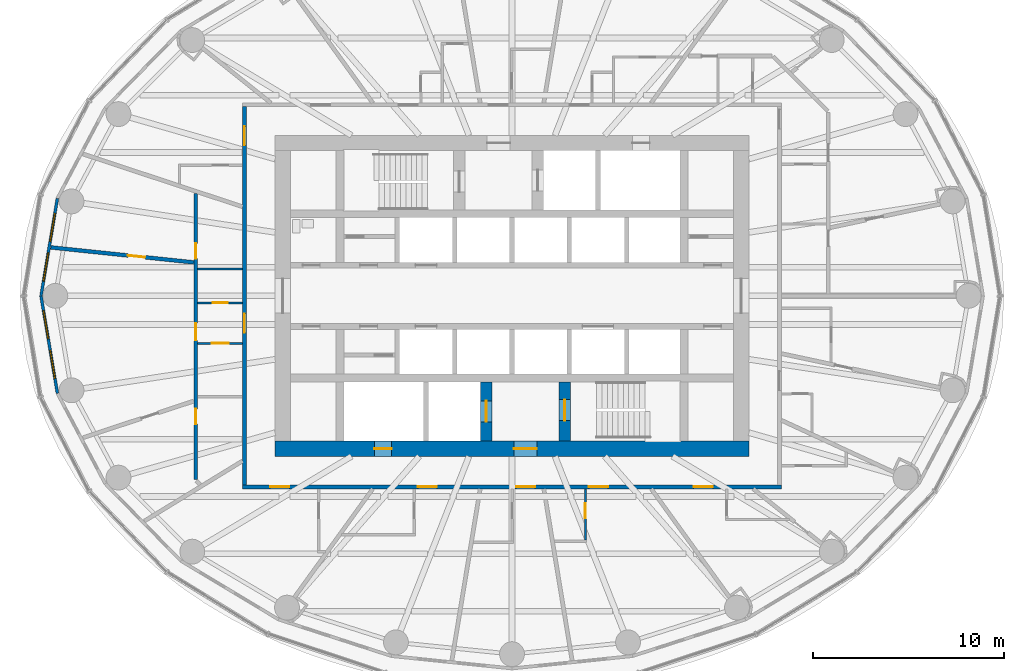
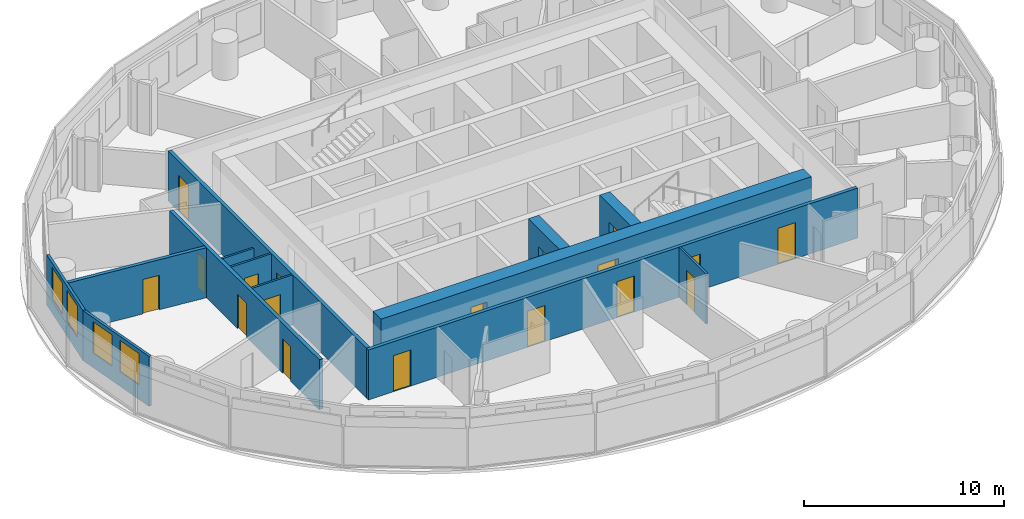
# One storey, part 7 of 14: 18 doors, 13 walls, 4 windows, 22 openings.
"""IFC4 building model written with IfcOpenShell, lengths in metres."""

from ifc_helpers import new_model, si_unit, direction, frame, frame_2d, origin, place, context, subcontext, project, spatial, rectangle, extrude, material, layer, layer_set, type_object, element, fill, save


model = new_model("IFC4")

# Units and contexts
model_context = context("Model", 3, precision=1e-05, world=origin(), true_north=direction((0.0, 1.0)))
body_context = subcontext(model_context, "Body", "Model", "MODEL_VIEW")
ifc_project = project(units=[si_unit("LENGTHUNIT", "METRE"), si_unit("AREAUNIT", "SQUARE_METRE"), si_unit("VOLUMEUNIT", "CUBIC_METRE"), si_unit("PLANEANGLEUNIT", "RADIAN"), si_unit("MASSUNIT", "GRAM", prefix="KILO")], contexts=[model_context])

# Site, building, storey
site_placement = place(None, origin())
site = spatial("IfcSite", under=ifc_project, at=site_placement, CompositionType="ELEMENT")
building_placement = place(site_placement, origin())
building = spatial("IfcBuilding", under=site, at=building_placement, Name="Hankou Lantern Tower", CompositionType="ELEMENT")
storey_placement = place(building_placement, frame((0.0, 0.0, 135.300048828125)))
storey = spatial("IfcBuildingStorey", under=building, at=storey_placement, Name="L35", CompositionType="ELEMENT", Elevation=135.300048828125)

# Wall, openings, doors
ifc_material_1 = material(Name="Concrete C60", Category="concrete")
ifc_layer_1 = layer(ifc_material_1, 0.800048828125)
ifc_layer_set_1 = layer_set([ifc_layer_1], Name="Concrete C60")
wall_type_1 = type_object("IfcWallType", Name="CW2 CORE WALL 800", PredefinedType="SHEAR", material=ifc_layer_set_1)
wall_1_placement = place(storey_placement, frame((12.39990234375, -8.0, 0.0), z_axis=(0.0, 0.0, 1.0), x_axis=(-1.0, 0.0, 0.0)))
wall_1 = element("IfcWall", 1, at=wall_1_placement, inside=storey, type_object=wall_type_1, Name="Core wall south L35", PredefinedType="SHEAR", context=body_context, shape_type="SweptSolid", body=[
    extrude(rectangle(XDim=24.7998046875, YDim=0.800048828125, at=frame_2d((12.39990234375, 0.0))), origin(), (0.0, 0.0, 1.0), 3.300048828125),
])
opening_1_placement = place(wall_1_placement, frame((11.10009765625, 0.0, 0.0)))
opening_1 = element("IfcOpeningElement", 2, at=opening_1_placement, cuts=wall_1, Name="Opening D5", PredefinedType="OPENING", context=body_context, shape_type="SweptSolid", body=[
    extrude(rectangle(XDim=1.199951171875, YDim=2.199951171875, at=frame_2d((0.60009765625, 1.10009765625))), frame((0.0, 0.409912109375, 0.0), z_axis=(0.0, -1.0, 0.0), x_axis=(1.0, 0.0, 0.0)), (0.0, 0.0, 1.0), 0.820068359375),
])
opening_2_placement = place(wall_1_placement, frame((18.699951171875, 0.0, 0.0)))
opening_2 = element("IfcOpeningElement", 3, at=opening_2_placement, cuts=wall_1, Name="Opening D7", PredefinedType="OPENING", context=body_context, shape_type="SweptSolid", body=[
    extrude(rectangle(XDim=0.89990234375, YDim=2.199951171875, at=frame_2d((0.449951171875, 1.10009765625))), frame((0.0, 0.409912109375, 0.0), z_axis=(0.0, -1.0, 0.0), x_axis=(1.0, 0.0, 0.0)), (0.0, 0.0, 1.0), 0.820068359375),
])
ifc_material_2 = material(Name="Steel door leaf", Category="steel")
door_type_1 = type_object("IfcDoorType", Name="D5 STAIR LOBBY DOOR 1200X2200", OperationType="SINGLE_SWING_LEFT", PredefinedType="DOOR", material=ifc_material_2)
door_1_placement = place(opening_1_placement, origin())
door_1 = element("IfcDoor", 4, at=door_1_placement, inside=storey, type_object=door_type_1, Name="Stair B lobby door", OperationType="SINGLE_SWING_LEFT", OverallHeight=2.199951171875, OverallWidth=1.199951171875, PredefinedType="DOOR", context=body_context, shape_type="SweptSolid", body=[
    extrude(rectangle(XDim=1.199951171875, YDim=2.199951171875, at=frame_2d((0.60009765625, 1.10009765625))), frame((0.0, 0.02490234375, 0.0), z_axis=(0.0, -1.0, 0.0), x_axis=(1.0, 0.0, 0.0)), (0.0, 0.0, 1.0), 0.050048828125),
])
fill(opening_1, door_1)
ifc_material_3 = material(Name="Steel door leaf", Category="steel")
door_type_2 = type_object("IfcDoorType", Name="D7 RISER DOOR 900X2200", OperationType="SINGLE_SWING_LEFT", PredefinedType="DOOR", material=ifc_material_3)
door_2_placement = place(opening_2_placement, origin())
door_2 = element("IfcDoor", 5, at=door_2_placement, inside=storey, type_object=door_type_2, Name="Riser S1 door", OperationType="SINGLE_SWING_RIGHT", OverallHeight=2.199951171875, OverallWidth=0.89990234375, PredefinedType="DOOR", context=body_context, shape_type="SweptSolid", body=[
    extrude(rectangle(XDim=0.89990234375, YDim=2.199951171875, at=frame_2d((0.449951171875, 1.10009765625))), frame((0.0, 0.02490234375, 0.0), z_axis=(0.0, -1.0, 0.0), x_axis=(1.0, 0.0, 0.0)), (0.0, 0.0, 1.0), 0.050048828125),
])
fill(opening_2, door_2)

# Wall, opening, door
ifc_material_4 = material(Name="Concrete C60", Category="concrete")
ifc_layer_2 = layer(ifc_material_4, 0.60009765625)
ifc_layer_set_2 = layer_set([ifc_layer_2], Name="Concrete C60")
wall_type_2 = type_object("IfcWallType", Name="CW6 STAIR AND SHAFT WALL 600", PredefinedType="SHEAR", material=ifc_layer_set_2)
wall_2_placement = place(storey_placement, frame((2.75, -7.60009765625, 0.0), z_axis=(0.0, 0.0, 1.0), x_axis=(0.0, 1.0, 0.0)))
wall_2 = element("IfcWall", 6, at=wall_2_placement, inside=storey, type_object=wall_type_2, Name="Stair wall L35", PredefinedType="SHEAR", context=body_context, shape_type="SweptSolid", body=[
    extrude(rectangle(XDim=3.10009765625, YDim=0.60009765625, at=frame_2d((1.550048828125, 0.0))), origin(), (0.0, 0.0, 1.0), 3.300048828125),
])
opening_3_placement = place(wall_2_placement, frame((1.074951171875, 0.0, 0.0)))
opening_3 = element("IfcOpeningElement", 7, at=opening_3_placement, cuts=wall_2, Name="Opening D4", PredefinedType="OPENING", context=body_context, shape_type="SweptSolid", body=[
    extrude(rectangle(XDim=1.10009765625, YDim=2.199951171875, at=frame_2d((0.550048828125, 1.10009765625))), frame((0.0, 0.31005859375, 0.0), z_axis=(0.0, -1.0, 0.0), x_axis=(1.0, 0.0, 0.0)), (0.0, 0.0, 1.0), 0.6201171875),
])
ifc_material_5 = material(Name="Steel door leaf", Category="steel")
door_type_3 = type_object("IfcDoorType", Name="D4 STAIR DOOR 1100X2200", OperationType="SINGLE_SWING_LEFT", PredefinedType="DOOR", material=ifc_material_5)
door_3_placement = place(opening_3_placement, origin())
door_3 = element("IfcDoor", 8, at=door_3_placement, inside=storey, type_object=door_type_3, Name="Stair B door", OperationType="SINGLE_SWING_RIGHT", OverallHeight=2.199951171875, OverallWidth=1.10009765625, PredefinedType="DOOR", context=body_context, shape_type="SweptSolid", body=[
    extrude(rectangle(XDim=1.10009765625, YDim=2.199951171875, at=frame_2d((0.550048828125, 1.10009765625))), frame((0.0, 0.02490234375, 0.0), z_axis=(0.0, -1.0, 0.0), x_axis=(1.0, 0.0, 0.0)), (0.0, 0.0, 1.0), 0.050048828125),
])
fill(opening_3, door_3)

wall_3_placement = place(storey_placement, frame((-1.35009765625, -7.60009765625, 0.0), z_axis=(0.0, 0.0, 1.0), x_axis=(0.0, 1.0, 0.0)))
wall_3 = element("IfcWall", 9, at=wall_3_placement, inside=storey, type_object=wall_type_2, Name="Firefighting lift shaft wall L35", PredefinedType="SHEAR", context=body_context, shape_type="SweptSolid", body=[
    extrude(rectangle(XDim=3.10009765625, YDim=0.60009765625, at=frame_2d((1.550048828125, 0.0))), origin(), (0.0, 0.0, 1.0), 3.300048828125),
])
opening_4_placement = place(wall_3_placement, frame((1.0, 0.0, 0.0)))
opening_4 = element("IfcOpeningElement", 10, at=opening_4_placement, cuts=wall_3, Name="Opening LD2", PredefinedType="OPENING", context=body_context, shape_type="SweptSolid", body=[
    extrude(rectangle(XDim=1.10009765625, YDim=2.199951171875, at=frame_2d((0.550048828125, 1.10009765625))), frame((0.0, 0.31005859375, 0.0), z_axis=(0.0, -1.0, 0.0), x_axis=(1.0, 0.0, 0.0)), (0.0, 0.0, 1.0), 0.6201171875),
])
ifc_material_6 = material(Name="Steel door leaf", Category="steel")
door_type_4 = type_object("IfcDoorType", Name="LD2 FIREFIGHTING LIFT LANDING DOOR 1100X2200", OperationType="DOUBLE_DOOR_SLIDING", PredefinedType="DOOR", material=ifc_material_6)
door_4_placement = place(opening_4_placement, origin())
door_4 = element("IfcDoor", 11, at=door_4_placement, inside=storey, type_object=door_type_4, Name="Firefighting lift FL2 landing door", OperationType="DOUBLE_DOOR_SLIDING", OverallHeight=2.199951171875, OverallWidth=1.10009765625, PredefinedType="DOOR", context=body_context, shape_type="SweptSolid", body=[
    extrude(rectangle(XDim=1.10009765625, YDim=2.199951171875, at=frame_2d((0.550048828125, 1.10009765625))), frame((0.0, 0.02490234375, 0.0), z_axis=(0.0, -1.0, 0.0), x_axis=(1.0, 0.0, 0.0)), (0.0, 0.0, 1.0), 0.050048828125),
])
fill(opening_4, door_4)

# Wall, openings, windows
ifc_material_7 = material(Name="Aluminium spandrel panel on steel studs", Category="steel")
ifc_layer_3 = layer(ifc_material_7, 0.14990234375)
ifc_layer_set_3 = layer_set([ifc_layer_3], Name="Aluminium spandrel panel on steel studs")
wall_type_3 = type_object("IfcWallType", Name="EW1 INNER SKIN WALL 150", PredefinedType="ELEMENTEDWALL", material=ifc_layer_set_3)
wall_4_placement = place(storey_placement, frame((-23.7919921875, 5.10009765625, 0.0), z_axis=(0.0, 0.0, 1.0), x_axis=(-0.165883894218, -0.986145290329, 0.0)))
wall_4 = element("IfcWall", 12, at=wall_4_placement, inside=storey, type_object=wall_type_3, Name="Inner skin R12-R13 L35", PredefinedType="ELEMENTEDWALL", context=body_context, shape_type="SweptSolid", body=[
    extrude(rectangle(XDim=5.171630859375, YDim=0.14990234375, at=frame_2d((2.5859375, 0.0))), origin(), (0.0, 0.0, 1.0), 3.050048828125),
])
opening_5_placement = place(wall_4_placement, frame((0.785888671875, 0.0, 0.89990234375)))
opening_5 = element("IfcOpeningElement", 13, at=opening_5_placement, cuts=wall_4, Name="Opening W2", PredefinedType="OPENING", context=body_context, shape_type="SweptSolid", body=[
    extrude(rectangle(XDim=1.5, YDim=1.89990234375, at=frame_2d((0.75, 0.949951171875))), frame((0.0, 0.0849609375, 0.0), z_axis=(0.0, -1.0, 0.0), x_axis=(1.0, 0.0, 0.0)), (0.0, 0.0, 1.0), 0.169921875),
])
opening_6_placement = place(wall_4_placement, frame((2.8857421875, 0.0, 0.89990234375)))
opening_6 = element("IfcOpeningElement", 14, at=opening_6_placement, cuts=wall_4, Name="Opening W2", PredefinedType="OPENING", context=body_context, shape_type="SweptSolid", body=[
    extrude(rectangle(XDim=1.5, YDim=1.89990234375, at=frame_2d((0.75, 0.949951171875))), frame((0.0, 0.0849609375, 0.0), z_axis=(0.0, -1.0, 0.0), x_axis=(1.0, 0.0, 0.0)), (0.0, 0.0, 1.0), 0.169921875),
])
ifc_material_8 = material(Name="Aluminium framed double glazed window", Category="aluminium")
window_type = type_object("IfcWindowType", Name="W2 GUEST ROOM WINDOW 1500X1900", PartitioningType="DOUBLE_PANEL_VERTICAL", PredefinedType="WINDOW", material=ifc_material_8)
window_1_placement = place(opening_5_placement, origin())
window_1 = element("IfcWindow", 15, at=window_1_placement, inside=storey, type_object=window_type, Name="Window R12.1 L35", OverallHeight=1.89990234375, OverallWidth=1.5, PartitioningType="SINGLE_PANEL", PredefinedType="WINDOW", context=body_context, shape_type="SweptSolid", body=[
    extrude(rectangle(XDim=1.5, YDim=1.89990234375, at=frame_2d((0.75, 0.949951171875))), frame((0.0, 0.030029296875, 0.0), z_axis=(0.0, -1.0, 0.0), x_axis=(1.0, 0.0, 0.0)), (0.0, 0.0, 1.0), 0.06005859375),
])
fill(opening_5, window_1)
window_2_placement = place(opening_6_placement, origin())
window_2 = element("IfcWindow", 16, at=window_2_placement, inside=storey, type_object=window_type, Name="Window R12.2 L35", OverallHeight=1.89990234375, OverallWidth=1.5, PartitioningType="SINGLE_PANEL", PredefinedType="WINDOW", context=body_context, shape_type="SweptSolid", body=[
    extrude(rectangle(XDim=1.5, YDim=1.89990234375, at=frame_2d((0.75, 0.949951171875))), frame((0.0, 0.030029296875, 0.0), z_axis=(0.0, -1.0, 0.0), x_axis=(1.0, 0.0, 0.0)), (0.0, 0.0, 1.0), 0.06005859375),
])
fill(opening_6, window_2)

wall_5_placement = place(storey_placement, frame((-24.64990234375, 0.0, 0.0), z_axis=(0.0, 0.0, 1.0), x_axis=(0.165883894218, -0.986145290329, 0.0)))
wall_5 = element("IfcWall", 17, at=wall_5_placement, inside=storey, type_object=wall_type_3, Name="Inner skin R13-R14 L35", PredefinedType="ELEMENTEDWALL", context=body_context, shape_type="SweptSolid", body=[
    extrude(rectangle(XDim=5.171630859375, YDim=0.14990234375, at=frame_2d((2.5859375, 0.0))), origin(), (0.0, 0.0, 1.0), 3.050048828125),
])
opening_7_placement = place(wall_5_placement, frame((0.785888671875, 0.0, 0.89990234375)))
opening_7 = element("IfcOpeningElement", 18, at=opening_7_placement, cuts=wall_5, Name="Opening W2", PredefinedType="OPENING", context=body_context, shape_type="SweptSolid", body=[
    extrude(rectangle(XDim=1.5, YDim=1.89990234375, at=frame_2d((0.75, 0.949951171875))), frame((0.0, 0.0849609375, 0.0), z_axis=(0.0, -1.0, 0.0), x_axis=(1.0, 0.0, 0.0)), (0.0, 0.0, 1.0), 0.169921875),
])
opening_8_placement = place(wall_5_placement, frame((2.8857421875, 0.0, 0.89990234375)))
opening_8 = element("IfcOpeningElement", 19, at=opening_8_placement, cuts=wall_5, Name="Opening W2", PredefinedType="OPENING", context=body_context, shape_type="SweptSolid", body=[
    extrude(rectangle(XDim=1.5, YDim=1.89990234375, at=frame_2d((0.75, 0.949951171875))), frame((0.0, 0.0849609375, 0.0), z_axis=(0.0, -1.0, 0.0), x_axis=(1.0, 0.0, 0.0)), (0.0, 0.0, 1.0), 0.169921875),
])
window_3_placement = place(opening_7_placement, origin())
window_3 = element("IfcWindow", 20, at=window_3_placement, inside=storey, type_object=window_type, Name="Window R13.1 L35", OverallHeight=1.89990234375, OverallWidth=1.5, PartitioningType="SINGLE_PANEL", PredefinedType="WINDOW", context=body_context, shape_type="SweptSolid", body=[
    extrude(rectangle(XDim=1.5, YDim=1.89990234375, at=frame_2d((0.75, 0.949951171875))), frame((0.0, 0.030029296875, 0.0), z_axis=(0.0, -1.0, 0.0), x_axis=(1.0, 0.0, 0.0)), (0.0, 0.0, 1.0), 0.06005859375),
])
fill(opening_7, window_3)
window_4_placement = place(opening_8_placement, origin())
window_4 = element("IfcWindow", 21, at=window_4_placement, inside=storey, type_object=window_type, Name="Window R13.2 L35", OverallHeight=1.89990234375, OverallWidth=1.5, PartitioningType="SINGLE_PANEL", PredefinedType="WINDOW", context=body_context, shape_type="SweptSolid", body=[
    extrude(rectangle(XDim=1.5, YDim=1.89990234375, at=frame_2d((0.75, 0.949951171875))), frame((0.0, 0.030029296875, 0.0), z_axis=(0.0, -1.0, 0.0), x_axis=(1.0, 0.0, 0.0)), (0.0, 0.0, 1.0), 0.06005859375),
])
fill(opening_8, window_4)

# Wall, openings, doors
ifc_material_9 = material(Name="Masonry lightweight concrete block", Category="masonry")
ifc_layer_4 = layer(ifc_material_9, 0.199951171875)
ifc_layer_set_4 = layer_set([ifc_layer_4], Name="Masonry lightweight concrete block")
wall_type_4 = type_object("IfcWallType", Name="IW2 CORRIDOR WALL 200", PredefinedType="PARTITIONING", material=ifc_layer_set_4)
wall_6_placement = place(storey_placement, frame((14.10009765625, -10.0, 0.0), z_axis=(0.0, 0.0, 1.0), x_axis=(-1.0, 0.0, 0.0)))
wall_6 = element("IfcWall", 22, at=wall_6_placement, inside=storey, type_object=wall_type_4, Name="Corridor wall south", PredefinedType="PARTITIONING", context=body_context, shape_type="SweptSolid", body=[
    extrude(rectangle(XDim=28.2001953125, YDim=0.199951171875, at=frame_2d((14.10009765625, 0.0))), origin(), (0.0, 0.0, 1.0), 3.050048828125),
])
opening_9_placement = place(wall_6_placement, frame((25.75390625, 0.0, 0.0)))
opening_9 = element("IfcOpeningElement", 23, at=opening_9_placement, cuts=wall_6, Name="Opening D1", PredefinedType="OPENING", context=body_context, shape_type="SweptSolid", body=[
    extrude(rectangle(XDim=1.0, YDim=2.199951171875, at=frame_2d((0.5, 1.10009765625))), frame((0.0, 0.10986328125, 0.0), z_axis=(0.0, -1.0, 0.0), x_axis=(1.0, 0.0, 0.0)), (0.0, 0.0, 1.0), 0.219970703125),
])
opening_10_placement = place(wall_6_placement, frame((18.029052734375, 0.0, 0.0)))
opening_10 = element("IfcOpeningElement", 24, at=opening_10_placement, cuts=wall_6, Name="Opening D1", PredefinedType="OPENING", context=body_context, shape_type="SweptSolid", body=[
    extrude(rectangle(XDim=1.0, YDim=2.199951171875, at=frame_2d((0.5, 1.10009765625))), frame((0.0, 0.10986328125, 0.0), z_axis=(0.0, -1.0, 0.0), x_axis=(1.0, 0.0, 0.0)), (0.0, 0.0, 1.0), 0.219970703125),
])
opening_11_placement = place(wall_6_placement, frame((12.883544921875, 0.0, 0.0)))
opening_11 = element("IfcOpeningElement", 25, at=opening_11_placement, cuts=wall_6, Name="Opening D1", PredefinedType="OPENING", context=body_context, shape_type="SweptSolid", body=[
    extrude(rectangle(XDim=1.0, YDim=2.199951171875, at=frame_2d((0.5, 1.10009765625))), frame((0.0, 0.10986328125, 0.0), z_axis=(0.0, -1.0, 0.0), x_axis=(1.0, 0.0, 0.0)), (0.0, 0.0, 1.0), 0.219970703125),
])
opening_12_placement = place(wall_6_placement, frame((9.07470703125, 0.0, 0.0)))
opening_12 = element("IfcOpeningElement", 26, at=opening_12_placement, cuts=wall_6, Name="Opening D1", PredefinedType="OPENING", context=body_context, shape_type="SweptSolid", body=[
    extrude(rectangle(XDim=1.0, YDim=2.199951171875, at=frame_2d((0.5, 1.10009765625))), frame((0.0, 0.10986328125, 0.0), z_axis=(0.0, -1.0, 0.0), x_axis=(1.0, 0.0, 0.0)), (0.0, 0.0, 1.0), 0.219970703125),
])
opening_13_placement = place(wall_6_placement, frame((3.590087890625, 0.0, 0.0)))
opening_13 = element("IfcOpeningElement", 27, at=opening_13_placement, cuts=wall_6, Name="Opening D2", PredefinedType="OPENING", context=body_context, shape_type="SweptSolid", body=[
    extrude(rectangle(XDim=1.0, YDim=2.199951171875, at=frame_2d((0.5, 1.10009765625))), frame((0.0, 0.10986328125, 0.0), z_axis=(0.0, -1.0, 0.0), x_axis=(1.0, 0.0, 0.0)), (0.0, 0.0, 1.0), 0.219970703125),
])
ifc_material_10 = material(Name="Steel door leaf", Category="steel")
door_type_5 = type_object("IfcDoorType", Name="D1 GUEST ROOM DOOR 1000X2200", OperationType="SINGLE_SWING_LEFT", PredefinedType="DOOR", material=ifc_material_10)
door_5_placement = place(opening_9_placement, origin())
door_5 = element("IfcDoor", 28, at=door_5_placement, inside=storey, type_object=door_type_5, Name="Guest room door 3506", OperationType="SINGLE_SWING_LEFT", OverallHeight=2.199951171875, OverallWidth=1.0, PredefinedType="DOOR", context=body_context, shape_type="SweptSolid", body=[
    extrude(rectangle(XDim=1.0, YDim=2.199951171875, at=frame_2d((0.5, 1.10009765625))), frame((0.0, 0.02490234375, 0.0), z_axis=(0.0, -1.0, 0.0), x_axis=(1.0, 0.0, 0.0)), (0.0, 0.0, 1.0), 0.050048828125),
])
fill(opening_9, door_5)
door_6_placement = place(opening_10_placement, origin())
door_6 = element("IfcDoor", 29, at=door_6_placement, inside=storey, type_object=door_type_5, Name="Guest room door 3507", OperationType="SINGLE_SWING_RIGHT", OverallHeight=2.199951171875, OverallWidth=1.0, PredefinedType="DOOR", context=body_context, shape_type="SweptSolid", body=[
    extrude(rectangle(XDim=1.0, YDim=2.199951171875, at=frame_2d((0.5, 1.10009765625))), frame((0.0, 0.02490234375, 0.0), z_axis=(0.0, -1.0, 0.0), x_axis=(1.0, 0.0, 0.0)), (0.0, 0.0, 1.0), 0.050048828125),
])
fill(opening_10, door_6)
door_7_placement = place(opening_11_placement, origin())
door_7 = element("IfcDoor", 30, at=door_7_placement, inside=storey, type_object=door_type_5, Name="Guest room door 3508", OperationType="SINGLE_SWING_RIGHT", OverallHeight=2.199951171875, OverallWidth=1.0, PredefinedType="DOOR", context=body_context, shape_type="SweptSolid", body=[
    extrude(rectangle(XDim=1.0, YDim=2.199951171875, at=frame_2d((0.5, 1.10009765625))), frame((0.0, 0.02490234375, 0.0), z_axis=(0.0, -1.0, 0.0), x_axis=(1.0, 0.0, 0.0)), (0.0, 0.0, 1.0), 0.050048828125),
])
fill(opening_11, door_7)
door_8_placement = place(opening_12_placement, origin())
door_8 = element("IfcDoor", 31, at=door_8_placement, inside=storey, type_object=door_type_5, Name="Guest room door 3509", OperationType="SINGLE_SWING_RIGHT", OverallHeight=2.199951171875, OverallWidth=1.0, PredefinedType="DOOR", context=body_context, shape_type="SweptSolid", body=[
    extrude(rectangle(XDim=1.0, YDim=2.199951171875, at=frame_2d((0.5, 1.10009765625))), frame((0.0, 0.02490234375, 0.0), z_axis=(0.0, -1.0, 0.0), x_axis=(1.0, 0.0, 0.0)), (0.0, 0.0, 1.0), 0.050048828125),
])
fill(opening_12, door_8)
ifc_material_11 = material(Name="Steel door leaf", Category="steel")
door_type_6 = type_object("IfcDoorType", Name="D2 SUITE DOOR 1000X2200", OperationType="SINGLE_SWING_LEFT", PredefinedType="DOOR", material=ifc_material_11)
door_9_placement = place(opening_13_placement, origin())
door_9 = element("IfcDoor", 32, at=door_9_placement, inside=storey, type_object=door_type_6, Name="Suite door 3510C", OperationType="SINGLE_SWING_LEFT", OverallHeight=2.199951171875, OverallWidth=1.0, PredefinedType="DOOR", context=body_context, shape_type="SweptSolid", body=[
    extrude(rectangle(XDim=1.0, YDim=2.199951171875, at=frame_2d((0.5, 1.10009765625))), frame((0.0, 0.02490234375, 0.0), z_axis=(0.0, -1.0, 0.0), x_axis=(1.0, 0.0, 0.0)), (0.0, 0.0, 1.0), 0.050048828125),
])
fill(opening_13, door_9)

wall_7_placement = place(storey_placement, frame((-14.0, 9.89990234375, 0.0), z_axis=(0.0, 0.0, 1.0), x_axis=(0.0, -1.0, 0.0)))
wall_7 = element("IfcWall", 33, at=wall_7_placement, inside=storey, type_object=wall_type_4, Name="Corridor wall west", PredefinedType="PARTITIONING", context=body_context, shape_type="SweptSolid", body=[
    extrude(rectangle(XDim=19.7998046875, YDim=0.199951171875, at=frame_2d((9.89990234375, 0.0))), origin(), (0.0, 0.0, 1.0), 3.050048828125),
])
opening_14_placement = place(wall_7_placement, frame((1.02490234375, 0.0, 0.0)))
opening_14 = element("IfcOpeningElement", 34, at=opening_14_placement, cuts=wall_7, Name="Opening D1", PredefinedType="OPENING", context=body_context, shape_type="SweptSolid", body=[
    extrude(rectangle(XDim=1.0, YDim=2.199951171875, at=frame_2d((0.5, 1.10009765625))), frame((0.0, 0.10986328125, 0.0), z_axis=(0.0, -1.0, 0.0), x_axis=(1.0, 0.0, 0.0)), (0.0, 0.0, 1.0), 0.219970703125),
])
opening_15_placement = place(wall_7_placement, frame((10.830810546875, 0.0, 0.0)))
opening_15 = element("IfcOpeningElement", 35, at=opening_15_placement, cuts=wall_7, Name="Opening D2", PredefinedType="OPENING", context=body_context, shape_type="SweptSolid", body=[
    extrude(rectangle(XDim=1.0, YDim=2.199951171875, at=frame_2d((0.5, 1.10009765625))), frame((0.0, 0.10986328125, 0.0), z_axis=(0.0, -1.0, 0.0), x_axis=(1.0, 0.0, 0.0)), (0.0, 0.0, 1.0), 0.219970703125),
])
door_10_placement = place(opening_14_placement, origin())
door_10 = element("IfcDoor", 36, at=door_10_placement, inside=storey, type_object=door_type_5, Name="Guest room door 3504", OperationType="SINGLE_SWING_LEFT", OverallHeight=2.199951171875, OverallWidth=1.0, PredefinedType="DOOR", context=body_context, shape_type="SweptSolid", body=[
    extrude(rectangle(XDim=1.0, YDim=2.199951171875, at=frame_2d((0.5, 1.10009765625))), frame((0.0, 0.02490234375, 0.0), z_axis=(0.0, -1.0, 0.0), x_axis=(1.0, 0.0, 0.0)), (0.0, 0.0, 1.0), 0.050048828125),
])
fill(opening_14, door_10)
door_11_placement = place(opening_15_placement, origin())
door_11 = element("IfcDoor", 37, at=door_11_placement, inside=storey, type_object=door_type_6, Name="Suite door 3505", OperationType="SINGLE_SWING_RIGHT", OverallHeight=2.199951171875, OverallWidth=1.0, PredefinedType="DOOR", context=body_context, shape_type="SweptSolid", body=[
    extrude(rectangle(XDim=1.0, YDim=2.199951171875, at=frame_2d((0.5, 1.10009765625))), frame((0.0, 0.02490234375, 0.0), z_axis=(0.0, -1.0, 0.0), x_axis=(1.0, 0.0, 0.0)), (0.0, 0.0, 1.0), 0.050048828125),
])
fill(opening_15, door_11)

# Wall
ifc_material_12 = material(Name="Masonry lightweight concrete block", Category="masonry")
ifc_layer_5 = layer(ifc_material_12, 0.1201171875)
ifc_layer_set_5 = layer_set([ifc_layer_5], Name="Masonry lightweight concrete block")
wall_type_5 = type_object("IfcWallType", Name="IW3 BATHROOM WALL 120", PredefinedType="PARTITIONING", material=ifc_layer_set_5)
wall_8_placement = place(storey_placement, frame((-14.10009765625, 1.40771484375, 0.0), z_axis=(0.0, 0.0, 1.0), x_axis=(-1.0, 0.0, 0.0)))
element("IfcWall", 38, at=wall_8_placement, inside=storey, type_object=wall_type_5, Name="Box wall 3505 1", PredefinedType="PARTITIONING", context=body_context, shape_type="SweptSolid", body=[
    extrude(rectangle(XDim=2.349853515625, YDim=0.1201171875, at=frame_2d((1.1748046875, 0.0))), origin(), (0.0, 0.0, 1.0), 2.300048828125),
])

# Wall, opening, door
wall_9_placement = place(storey_placement, frame((-14.10009765625, -0.370849609375, 0.0), z_axis=(0.0, 0.0, 1.0), x_axis=(-1.0, 0.0, 0.0)))
wall_9 = element("IfcWall", 39, at=wall_9_placement, inside=storey, type_object=wall_type_5, Name="Box wall 3505 2", PredefinedType="PARTITIONING", context=body_context, shape_type="SweptSolid", body=[
    extrude(rectangle(XDim=2.349853515625, YDim=0.1201171875, at=frame_2d((1.1748046875, 0.0))), origin(), (0.0, 0.0, 1.0), 3.050048828125),
])
opening_16_placement = place(wall_9_placement, frame((0.77001953125, 0.0, 0.0)))
opening_16 = element("IfcOpeningElement", 40, at=opening_16_placement, cuts=wall_9, Name="Opening D3", PredefinedType="OPENING", context=body_context, shape_type="SweptSolid", body=[
    extrude(rectangle(XDim=0.800048828125, YDim=2.10009765625, at=frame_2d((0.39990234375, 1.050048828125))), frame((0.0, 0.070068359375, 0.0), z_axis=(0.0, -1.0, 0.0), x_axis=(1.0, 0.0, 0.0)), (0.0, 0.0, 1.0), 0.14013671875),
])
ifc_material_13 = material(Name="Timber door leaf", Category="wood")
door_type_7 = type_object("IfcDoorType", Name="D3 BATHROOM DOOR 800X2100", OperationType="SINGLE_SWING_LEFT", PredefinedType="DOOR", material=ifc_material_13)
door_12_placement = place(opening_16_placement, origin())
door_12 = element("IfcDoor", 41, at=door_12_placement, inside=storey, type_object=door_type_7, Name="Family suite 3505 guest WC door", OperationType="SINGLE_SWING_LEFT", OverallHeight=2.10009765625, OverallWidth=0.800048828125, PredefinedType="DOOR", context=body_context, shape_type="SweptSolid", body=[
    extrude(rectangle(XDim=0.800048828125, YDim=2.10009765625, at=frame_2d((0.39990234375, 1.050048828125))), frame((0.0, 0.02490234375, 0.0), z_axis=(0.0, -1.0, 0.0), x_axis=(1.0, 0.0, 0.0)), (0.0, 0.0, 1.0), 0.050048828125),
])
fill(opening_16, door_12)

wall_10_placement = place(storey_placement, frame((-14.10009765625, -2.490966796875, 0.0), z_axis=(0.0, 0.0, 1.0), x_axis=(-1.0, 0.0, 0.0)))
wall_10 = element("IfcWall", 42, at=wall_10_placement, inside=storey, type_object=wall_type_5, Name="Box wall 3505 3", PredefinedType="PARTITIONING", context=body_context, shape_type="SweptSolid", body=[
    extrude(rectangle(XDim=2.349853515625, YDim=0.1201171875, at=frame_2d((1.1748046875, 0.0))), origin(), (0.0, 0.0, 1.0), 3.050048828125),
])
opening_17_placement = place(wall_10_placement, frame((0.719970703125, 0.0, 0.0)))
opening_17 = element("IfcOpeningElement", 43, at=opening_17_placement, cuts=wall_10, Name="Opening D27", PredefinedType="OPENING", context=body_context, shape_type="SweptSolid", body=[
    extrude(rectangle(XDim=0.89990234375, YDim=2.10009765625, at=frame_2d((0.449951171875, 1.050048828125))), frame((0.0, 0.070068359375, 0.0), z_axis=(0.0, -1.0, 0.0), x_axis=(1.0, 0.0, 0.0)), (0.0, 0.0, 1.0), 0.14013671875),
])
ifc_material_14 = material(Name="Timber door leaf", Category="wood")
door_type_8 = type_object("IfcDoorType", Name="D27 INTERNAL DOOR 900X2100", OperationType="SINGLE_SWING_LEFT", PredefinedType="DOOR", material=ifc_material_14)
door_13_placement = place(opening_17_placement, origin())
door_13 = element("IfcDoor", 44, at=door_13_placement, inside=storey, type_object=door_type_8, Name="Family suite 3505 walk-in wardrobe door", OperationType="SINGLE_SWING_LEFT", OverallHeight=2.10009765625, OverallWidth=0.89990234375, PredefinedType="DOOR", context=body_context, shape_type="SweptSolid", body=[
    extrude(rectangle(XDim=0.89990234375, YDim=2.10009765625, at=frame_2d((0.449951171875, 1.050048828125))), frame((0.0, 0.02490234375, 0.0), z_axis=(0.0, -1.0, 0.0), x_axis=(1.0, 0.0, 0.0)), (0.0, 0.0, 1.0), 0.050048828125),
])
fill(opening_17, door_13)

wall_11_placement = place(storey_placement, frame((3.84521484375, -10.10009765625, 0.0), z_axis=(0.0, 0.0, 1.0), x_axis=(0.0, -1.0, 0.0)))
wall_11 = element("IfcWall", 45, at=wall_11_placement, inside=storey, type_object=wall_type_5, Name="Box wall 3509 1", PredefinedType="PARTITIONING", context=body_context, shape_type="SweptSolid", body=[
    extrude(rectangle(XDim=2.68994140625, YDim=0.1201171875, at=frame_2d((1.344970703125, 0.0))), origin(), (0.0, 0.0, 1.0), 3.050048828125),
])
opening_18_placement = place(wall_11_placement, frame((0.75, 0.0, 0.0)))
opening_18 = element("IfcOpeningElement", 46, at=opening_18_placement, cuts=wall_11, Name="Opening D3", PredefinedType="OPENING", context=body_context, shape_type="SweptSolid", body=[
    extrude(rectangle(XDim=0.800048828125, YDim=2.10009765625, at=frame_2d((0.39990234375, 1.050048828125))), frame((0.0, 0.070068359375, 0.0), z_axis=(0.0, -1.0, 0.0), x_axis=(1.0, 0.0, 0.0)), (0.0, 0.0, 1.0), 0.14013671875),
])
door_14_placement = place(opening_18_placement, origin())
door_14 = element("IfcDoor", 47, at=door_14_placement, inside=storey, type_object=door_type_7, Name="En-suite bathroom 3509 door", OperationType="SINGLE_SWING_LEFT", OverallHeight=2.10009765625, OverallWidth=0.800048828125, PredefinedType="DOOR", context=body_context, shape_type="SweptSolid", body=[
    extrude(rectangle(XDim=0.800048828125, YDim=2.10009765625, at=frame_2d((0.39990234375, 1.050048828125))), frame((0.0, 0.02490234375, 0.0), z_axis=(0.0, -1.0, 0.0), x_axis=(1.0, 0.0, 0.0)), (0.0, 0.0, 1.0), 0.050048828125),
])
fill(opening_18, door_14)

# Wall, openings, doors
ifc_material_15 = material(Name="Masonry lightweight concrete block", Category="masonry")
ifc_layer_6 = layer(ifc_material_15, 0.199951171875)
ifc_layer_set_6 = layer_set([ifc_layer_6], Name="Masonry lightweight concrete block")
wall_type_6 = type_object("IfcWallType", Name="IW6 SUITE PARTITION 200", PredefinedType="PARTITIONING", material=ifc_layer_set_6)
wall_12_placement = place(storey_placement, frame((-16.550048828125, 5.35107421875, 0.0), z_axis=(0.0, 0.0, 1.0), x_axis=(0.0, -1.0, 0.0)))
wall_12 = element("IfcWall", 48, at=wall_12_placement, inside=storey, type_object=wall_type_6, Name="Suite foyer wall 3505", PredefinedType="PARTITIONING", context=body_context, shape_type="SweptSolid", body=[
    extrude(rectangle(XDim=14.959716796875, YDim=0.199951171875, at=frame_2d((7.47998046875, 0.0))), origin(), (0.0, 0.0, 1.0), 3.050048828125),
])
opening_19_placement = place(wall_12_placement, frame((2.5986328125, 0.0, 0.0)))
opening_19 = element("IfcOpeningElement", 49, at=opening_19_placement, cuts=wall_12, Name="Opening D3", PredefinedType="OPENING", context=body_context, shape_type="SweptSolid", body=[
    extrude(rectangle(XDim=0.800048828125, YDim=2.10009765625, at=frame_2d((0.39990234375, 1.050048828125))), frame((0.0, 0.10986328125, 0.0), z_axis=(0.0, -1.0, 0.0), x_axis=(1.0, 0.0, 0.0)), (0.0, 0.0, 1.0), 0.219970703125),
])
opening_20_placement = place(wall_12_placement, frame((11.27001953125, 0.0, 0.0)))
opening_20 = element("IfcOpeningElement", 50, at=opening_20_placement, cuts=wall_12, Name="Opening D3", PredefinedType="OPENING", context=body_context, shape_type="SweptSolid", body=[
    extrude(rectangle(XDim=0.800048828125, YDim=2.10009765625, at=frame_2d((0.39990234375, 1.050048828125))), frame((0.0, 0.10986328125, 0.0), z_axis=(0.0, -1.0, 0.0), x_axis=(1.0, 0.0, 0.0)), (0.0, 0.0, 1.0), 0.219970703125),
])
opening_21_placement = place(wall_12_placement, frame((6.781982421875, 0.0, 0.0)))
opening_21 = element("IfcOpeningElement", 51, at=opening_21_placement, cuts=wall_12, Name="Opening D27", PredefinedType="OPENING", context=body_context, shape_type="SweptSolid", body=[
    extrude(rectangle(XDim=0.89990234375, YDim=2.10009765625, at=frame_2d((0.449951171875, 1.050048828125))), frame((0.0, 0.10986328125, 0.0), z_axis=(0.0, -1.0, 0.0), x_axis=(1.0, 0.0, 0.0)), (0.0, 0.0, 1.0), 0.219970703125),
])
door_15_placement = place(opening_21_placement, origin())
door_15 = element("IfcDoor", 52, at=door_15_placement, inside=storey, type_object=door_type_8, Name="Family suite 3505 living room door", OperationType="SINGLE_SWING_RIGHT", OverallHeight=2.10009765625, OverallWidth=0.89990234375, PredefinedType="DOOR", context=body_context, shape_type="SweptSolid", body=[
    extrude(rectangle(XDim=0.89990234375, YDim=2.10009765625, at=frame_2d((0.449951171875, 1.050048828125))), frame((0.0, 0.02490234375, 0.0), z_axis=(0.0, -1.0, 0.0), x_axis=(1.0, 0.0, 0.0)), (0.0, 0.0, 1.0), 0.050048828125),
])
fill(opening_21, door_15)
door_16_placement = place(opening_19_placement, origin())
door_16 = element("IfcDoor", 53, at=door_16_placement, inside=storey, type_object=door_type_7, Name="Family suite 3505 bathroom door", OperationType="SINGLE_SWING_RIGHT", OverallHeight=2.10009765625, OverallWidth=0.800048828125, PredefinedType="DOOR", context=body_context, shape_type="SweptSolid", body=[
    extrude(rectangle(XDim=0.800048828125, YDim=2.10009765625, at=frame_2d((0.39990234375, 1.050048828125))), frame((0.0, 0.02490234375, 0.0), z_axis=(0.0, -1.0, 0.0), x_axis=(1.0, 0.0, 0.0)), (0.0, 0.0, 1.0), 0.050048828125),
])
fill(opening_19, door_16)
door_17_placement = place(opening_20_placement, origin())
door_17 = element("IfcDoor", 54, at=door_17_placement, inside=storey, type_object=door_type_7, Name="Family suite 3505 second bathroom door", OperationType="SINGLE_SWING_LEFT", OverallHeight=2.10009765625, OverallWidth=0.800048828125, PredefinedType="DOOR", context=body_context, shape_type="SweptSolid", body=[
    extrude(rectangle(XDim=0.800048828125, YDim=2.10009765625, at=frame_2d((0.39990234375, 1.050048828125))), frame((0.0, 0.02490234375, 0.0), z_axis=(0.0, -1.0, 0.0), x_axis=(1.0, 0.0, 0.0)), (0.0, 0.0, 1.0), 0.050048828125),
])
fill(opening_20, door_17)

# Wall, opening, door
wall_13_placement = place(storey_placement, frame((-16.64990234375, 1.749755859375, 0.0), z_axis=(0.0, 0.0, 1.0), x_axis=(-0.994524630042, 0.104502441313, 0.0)))
wall_13 = element("IfcWall", 55, at=wall_13_placement, inside=storey, type_object=wall_type_6, Name="Suite partition R12-R13", PredefinedType="PARTITIONING", context=body_context, shape_type="SweptSolid", body=[
    extrude(rectangle(XDim=7.52734375, YDim=0.199951171875, at=frame_2d((3.763671875, 0.0))), origin(), (0.0, 0.0, 1.0), 3.050048828125),
])
opening_22_placement = place(wall_13_placement, frame((2.570068359375, 0.0, 0.0)))
opening_22 = element("IfcOpeningElement", 56, at=opening_22_placement, cuts=wall_13, Name="Opening D27", PredefinedType="OPENING", context=body_context, shape_type="SweptSolid", body=[
    extrude(rectangle(XDim=0.89990234375, YDim=2.10009765625, at=frame_2d((0.449951171875, 1.050048828125))), frame((0.0, 0.10986328125, 0.0), z_axis=(0.0, -1.0, 0.0), x_axis=(1.0, 0.0, 0.0)), (0.0, 0.0, 1.0), 0.219970703125),
])
door_18_placement = place(opening_22_placement, origin())
door_18 = element("IfcDoor", 57, at=door_18_placement, inside=storey, type_object=door_type_8, Name="Family suite 3505 bedroom door", OperationType="SINGLE_SWING_LEFT", OverallHeight=2.10009765625, OverallWidth=0.89990234375, PredefinedType="DOOR", context=body_context, shape_type="SweptSolid", body=[
    extrude(rectangle(XDim=0.89990234375, YDim=2.10009765625, at=frame_2d((0.449951171875, 1.050048828125))), frame((0.0, 0.02490234375, 0.0), z_axis=(0.0, -1.0, 0.0), x_axis=(1.0, 0.0, 0.0)), (0.0, 0.0, 1.0), 0.050048828125),
])
fill(opening_22, door_18)

save(model, "model.ifc")
